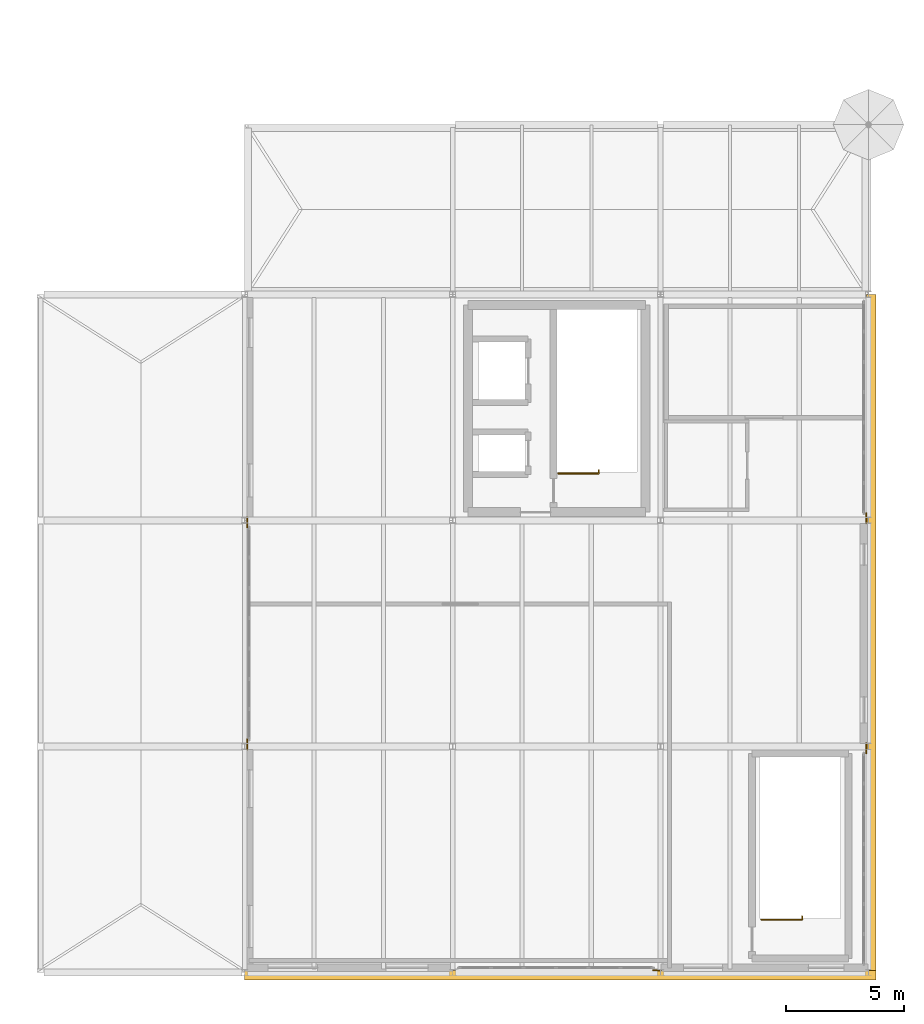
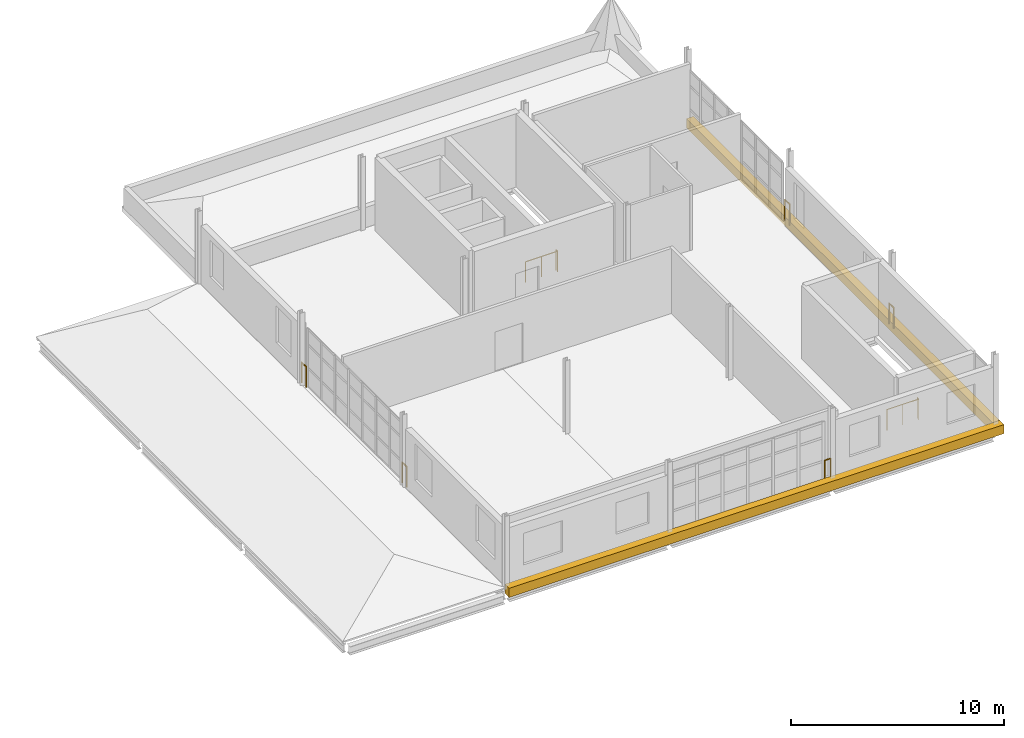
# One storey, part 28 of 28: 7 railings, 2 coverings.
"""IFC4 building model written with IfcOpenShell, lengths in metres."""

import ifcopenshell
import ifcopenshell.guid

model = None  # the IFC model being written
_history = None  # IfcOwnerHistory: only IFC2X3 demands one
_inside = {}  # id of a spatial element -> (the spatial element, [elements in it])
_under = {}  # id of a project, library or spatial element -> (it, [spatial elements below it])
_declared = {}  # id of a project -> (the project, [libraries it declares])
_typed = {}  # id of a type object -> (the type object, [elements of that type])
_made_of = {}  # id of a material, layer set ... -> (it, [elements and type objects made of it])


def new_model(schema):
    """Start an empty IFC model of exactly this schema.

    Asked for "IFC4X3", IfcOpenShell would pick the latest addendum, in which some entities
    have other attributes; the version numbers below select the first issue.
    IFC2X3 requires an IfcOwnerHistory on every rooted entity: one is made here for all.
    """
    global model, _history
    if schema == "IFC4X3":
        model = ifcopenshell.file(schema_version=(4, 3, 0, 0))
    else:
        model = ifcopenshell.file(schema=schema)
    _inside.clear()
    _under.clear()
    _declared.clear()
    _typed.clear()
    _made_of.clear()
    _history = None
    if model.schema == "IFC2X3":
        org = make("IfcOrganization", Name="unknown")
        user = make(
            "IfcPersonAndOrganization",
            ThePerson=make("IfcPerson", FamilyName="unknown"),
            TheOrganization=org,
        )
        app = make(
            "IfcApplication",
            ApplicationDeveloper=org,
            Version="unknown",
            ApplicationFullName="unknown",
            ApplicationIdentifier="unknown",
        )
        _history = make(
            "IfcOwnerHistory",
            OwningUser=user,
            OwningApplication=app,
            ChangeAction="ADDED",
            CreationDate=0,
        )
    return model


def make(cls, **values):
    """One entity of the class cls with the attributes given. An attribute that is None is left unset."""
    return model.create_entity(
        cls, **{name: value for name, value in values.items() if value is not None}
    )


def rooted(cls, **values):
    """An entity with a GlobalId (a new one), such as an element, a storey or a relation."""
    return make(cls, GlobalId=ifcopenshell.guid.new(), OwnerHistory=_history, **values)


def si_unit(unit_type, name, prefix=None):
    """IfcSIUnit, for example si_unit("LENGTHUNIT", "METRE", prefix="MILLI")."""
    return make("IfcSIUnit", UnitType=unit_type, Prefix=prefix, Name=name)


def assignment(units):
    """IfcUnitAssignment: the units of a project."""
    return None if units is None else make("IfcUnitAssignment", Units=units)


def point(xyz):
    """IfcCartesianPoint."""
    return None if xyz is None else make("IfcCartesianPoint", Coordinates=xyz)


def direction(xyz):
    """IfcDirection."""
    return None if xyz is None else make("IfcDirection", DirectionRatios=xyz)


def frame(location, z_axis=None, x_axis=None):
    """IfcAxis2Placement3D, a coordinate frame: its origin and axes. An axis left out is left unset."""
    return make(
        "IfcAxis2Placement3D",
        Location=point(location),
        Axis=direction(z_axis),
        RefDirection=direction(x_axis),
    )


def frame_2d(location, x_axis=None):
    """IfcAxis2Placement2D, a coordinate frame in the plane: its origin and x axis."""
    return make(
        "IfcAxis2Placement2D", Location=point(location), RefDirection=direction(x_axis)
    )


def origin():
    """The frame at (0, 0, 0) with its axes left unset."""
    return frame((0.0, 0.0, 0.0))


def origin_2d():
    """The frame at (0, 0) in the plane with its x axis left unset."""
    return frame_2d((0.0, 0.0))


def place(relative_to, where):
    """IfcLocalPlacement: puts the frame where relative to a parent placement (None: the world)."""
    return make(
        "IfcLocalPlacement", PlacementRelTo=relative_to, RelativePlacement=where
    )


def context(
    kind, dimensions, precision=None, world=None, true_north=None, identifier=None
):
    """IfcGeometricRepresentationContext, for example the 3D "Model" context."""
    return make(
        "IfcGeometricRepresentationContext",
        ContextIdentifier=identifier,
        ContextType=kind,
        CoordinateSpaceDimension=dimensions,
        Precision=precision,
        WorldCoordinateSystem=world,
        TrueNorth=true_north,
    )


def subcontext(parent, identifier, kind, view, scale=None):
    """IfcGeometricRepresentationSubContext, for example "Body" below "Model"."""
    return make(
        "IfcGeometricRepresentationSubContext",
        ContextIdentifier=identifier,
        ContextType=kind,
        ParentContext=parent,
        TargetScale=scale,
        TargetView=view,
    )


def project(units=None, contexts=None):
    """IfcProject with its units and contexts."""
    return rooted(
        "IfcProject",
        Name="project",
        RepresentationContexts=contexts,
        UnitsInContext=assignment(units),
    )


def spatial(cls, under=None, at=None, **own):
    """A site, building, storey or space (cls), placed at a placement, below another one or the project."""
    s = rooted(cls, ObjectPlacement=at, **own)
    if under is not None:
        _under.setdefault(under.id(), (under, []))[1].append(s)
    return s


def polyline(points):
    """IfcPolyline through the points."""
    return make("IfcPolyline", Points=[point(p) for p in points])


def profile(cls, at=None, kind="AREA", **sizes):
    """A parametric profile (cls). Its sizes go by their IFC names, for example OverallWidth=200.0."""
    return make(cls, ProfileType=kind, Position=at, **sizes)


def circle(**sizes):
    """IfcCircleProfileDef."""
    return profile("IfcCircleProfileDef", **sizes)


def outline(outer, holes=None, kind="AREA"):
    """IfcArbitraryClosedProfileDef: a profile drawn as a closed curve; with holes, ...WithVoids."""
    if holes is None:
        return make("IfcArbitraryClosedProfileDef", ProfileType=kind, OuterCurve=outer)
    return make(
        "IfcArbitraryProfileDefWithVoids",
        ProfileType=kind,
        OuterCurve=outer,
        InnerCurves=holes,
    )


def extrude(swept, where, along, depth):
    """IfcExtrudedAreaSolid: the profile swept, set in the frame where, extruded along a direction by depth."""
    return make(
        "IfcExtrudedAreaSolid",
        SweptArea=swept,
        Position=where,
        ExtrudedDirection=direction(along),
        Depth=depth,
    )


def shape(context_of_items, identifier, shape_type, items):
    """IfcShapeRepresentation: the items that make up one representation, for example the "Body"."""
    return make(
        "IfcShapeRepresentation",
        ContextOfItems=context_of_items,
        RepresentationIdentifier=identifier,
        RepresentationType=shape_type,
        Items=items,
    )


def material(Name=None, Category=None):
    """IfcMaterial."""
    return make("IfcMaterial", Name=Name, Category=Category)


def layer(
    of_material, thickness, ventilated=None, Name=None, Category=None, Priority=None
):
    """IfcMaterialLayer: one layer of a wall or slab, of a material (None: an air gap)."""
    return make(
        "IfcMaterialLayer",
        Material=of_material,
        LayerThickness=thickness,
        IsVentilated=ventilated,
        Name=Name,
        Category=Category,
        Priority=Priority,
    )


def layer_set(layers, Name=None):
    """IfcMaterialLayerSet."""
    return make("IfcMaterialLayerSet", MaterialLayers=layers, LayerSetName=Name)


def made_of(thing, what):
    """Note that an element or type object is made of a material, layer set ...; save() writes the relation."""
    if what is not None:
        _made_of.setdefault(what.id(), (what, []))[1].append(thing)
    return thing


def type_object(cls, material=None, **own):
    """A type object (cls), such as IfcWallType, which elements share."""
    return made_of(rooted(cls, **own), material)


def element(
    cls,
    number,
    at=None,
    inside=None,
    cuts=None,
    type_object=None,
    material=None,
    context=None,
    identifier="Body",
    shape_type=None,
    held_by="IfcProductDefinitionShape",
    body=None,
    shapes=None,
    **own,
):
    """One element of the class cls, such as IfcWall. Its Tag is "e" and its number.

    at: its placement. inside: the storey or other place that contains it. cuts: it is an
    opening in that element (IfcRelVoidsElement). A single representation is given by context,
    identifier, shape_type and body (its items); several are given by shapes. held_by: the class
    of the entity that holds the representations. save() writes the other relations.
    """
    e = rooted(cls, Tag="e%d" % number, ObjectPlacement=at, **own)
    if body is not None:
        shapes = [shape(context, identifier, shape_type, body)]
    if shapes is not None:
        e.Representation = make(held_by, Representations=shapes)
    if inside is not None:
        _inside.setdefault(inside.id(), (inside, []))[1].append(e)
    if cuts is not None:
        rooted(
            "IfcRelVoidsElement", RelatingBuildingElement=cuts, RelatedOpeningElement=e
        )
    if type_object is not None:
        _typed.setdefault(type_object.id(), (type_object, []))[1].append(e)
    return made_of(e, material)


def aggregate(whole, parts):
    """IfcRelAggregates: a whole, such as a stair, and the parts it consists of."""
    return rooted("IfcRelAggregates", RelatingObject=whole, RelatedObjects=parts)


def save(model, path):
    """Write the relations noted so far, then the file.

    IfcRelAggregates (storeys below a building ...), IfcRelContainedInSpatialStructure (elements
    in a storey), IfcRelDefinesByType, IfcRelAssociatesMaterial and IfcRelDeclares: one each for
    every whole, place, type object, material and project.
    """
    for whole, parts in _under.values():
        aggregate(whole, parts)
    for where, things in _inside.values():
        rooted(
            "IfcRelContainedInSpatialStructure",
            RelatedElements=things,
            RelatingStructure=where,
        )
    for kind, things in _typed.values():
        rooted("IfcRelDefinesByType", RelatedObjects=things, RelatingType=kind)
    for what, things in _made_of.values():
        rooted("IfcRelAssociatesMaterial", RelatedObjects=things, RelatingMaterial=what)
    for by, libraries in _declared.values():
        rooted("IfcRelDeclares", RelatingContext=by, RelatedDefinitions=libraries)
    model.write(path)


model = new_model("IFC4")

# Units and contexts
model_context = context("Model", 3, precision=1e-05, world=origin(), true_north=direction((0.0, 1.0)))
body_context = subcontext(model_context, "Body", "Model", "MODEL_VIEW")
ifc_project = project(units=[si_unit("LENGTHUNIT", "METRE"), si_unit("AREAUNIT", "SQUARE_METRE"), si_unit("VOLUMEUNIT", "CUBIC_METRE"), si_unit("PLANEANGLEUNIT", "RADIAN"), si_unit("MASSUNIT", "GRAM", prefix="KILO")], contexts=[model_context])

# Site, building, storey
site_placement = place(None, origin())
site = spatial("IfcSite", under=ifc_project, at=site_placement, CompositionType="ELEMENT")
building_placement = place(site_placement, origin())
building = spatial("IfcBuilding", under=site, at=building_placement, Name="Yeouljin Market Hall", CompositionType="ELEMENT")
storey_placement = place(building_placement, frame((0.0, 0.0, 15.0)))
storey = spatial("IfcBuildingStorey", under=building, at=storey_placement, Name="L03", CompositionType="ELEMENT", Elevation=15.0)

# Coverings
ifc_material_1 = material(Name="Clinker Brick Masonry F2-S2", Category="masonry")
ifc_layer = layer(ifc_material_1, 0.360107421875)
ifc_layer_set = layer_set([ifc_layer], Name="Clinker Brick Masonry F2-S2")
covering_type = type_object("IfcCoveringType", Name="Covering_Clinker_SpandrelHood", PredefinedType="CLADDING", material=ifc_layer_set)
covering_1_placement = place(storey_placement, frame((0.0, 0.0, -0.35009765625)))
element("IfcCovering", 1, at=covering_1_placement, inside=storey, type_object=covering_type, Name="Corbelled brick spandrel hood SE-10", PredefinedType="CLADDING", context=body_context, shape_type="SweptSolid", body=[
    extrude(outline(polyline([(149.909912109375, -0.320068359375), (176.719970703125, -0.320068359375), (176.719970703125, 0.080078125), (149.909912109375, 0.080078125), (149.909912109375, -0.320068359375)])), origin(), (0.0, 0.0, 1.0), 0.52001953125),
])
covering_2_placement = place(storey_placement, frame((0.0, 0.0, -0.35009765625)))
element("IfcCovering", 2, at=covering_2_placement, inside=storey, type_object=covering_type, Name="Corbelled brick spandrel hood EE-12", PredefinedType="CLADDING", context=body_context, shape_type="SweptSolid", body=[
    extrude(outline(polyline([(176.320068359375, 0.0), (176.719970703125, 0.0), (176.719970703125, 28.800048828125), (176.320068359375, 28.800048828125), (176.320068359375, 0.0)])), origin(), (0.0, 0.0, 1.0), 0.52001953125),
])

# Railings
ifc_material_2 = material(Name="Wrought Iron and Bronze Gallery Balustrade")
railing_type_1 = type_object("IfcRailingType", Name="Railing_AtriumBalustrade_1200", PredefinedType="BALUSTRADE", material=ifc_material_2)
railing_1_placement = place(storey_placement, frame((150.010009765625, 9.468017578125, 0.0)))
element("IfcRailing", 3, at=railing_1_placement, inside=storey, type_object=railing_type_1, Name="Gallery & deck edge balustrade L03-274", PredefinedType="BALUSTRADE", context=body_context, shape_type="SweptSolid", body=[
    extrude(circle(Radius=0.02392578125, at=origin_2d()), frame((0.0, 0.0, 1.17578125), z_axis=(0.0, 1.0, 0.0), x_axis=(-1.0, 0.0, 0.0)), (0.0, 0.0, 1.0), 0.431884765625),
    extrude(circle(Radius=0.02099609375, at=origin_2d()), origin(), (0.0, 0.0, 1.0), 1.15185546875),
    extrude(circle(Radius=0.02099609375, at=origin_2d()), frame((0.0, 0.431884765625, 0.0)), (0.0, 0.0, 1.0), 1.15185546875),
])
railing_2_placement = place(storey_placement, frame((150.010009765625, 18.89990234375, 0.0)))
element("IfcRailing", 4, at=railing_2_placement, inside=storey, type_object=railing_type_1, Name="Gallery & deck edge balustrade L03-275", PredefinedType="BALUSTRADE", context=body_context, shape_type="SweptSolid", body=[
    extrude(circle(Radius=0.02392578125, at=origin_2d()), frame((0.0, 0.0, 1.17578125), z_axis=(0.0, 1.0, 0.0), x_axis=(-1.0, 0.0, 0.0)), (0.0, 0.0, 1.0), 0.43212890625),
    extrude(circle(Radius=0.02099609375, at=origin_2d()), origin(), (0.0, 0.0, 1.0), 1.15185546875),
    extrude(circle(Radius=0.02099609375, at=origin_2d()), frame((0.0, 0.43212890625, 0.0)), (0.0, 0.0, 1.0), 1.15185546875),
])
for number, where, name in (
    (5, (176.300048828125, 19.5, 0.0), "Gallery & deck edge balustrade L03-276"),
    (6, (176.300048828125, 9.73193359375, 0.0), "Gallery & deck edge balustrade L03-277"),
):
    element("IfcRailing", number, at=place(storey_placement, frame(where)), inside=storey, type_object=railing_type_1, Name=name, PredefinedType="BALUSTRADE", context=body_context, shape_type="SweptSolid", body=[
        extrude(circle(Radius=0.02392578125, at=origin_2d()), frame((0.0, 0.0, 1.17578125), z_axis=(0.0, -1.0, 0.0), x_axis=(1.0, 0.0, 0.0)), (0.0, 0.0, 1.0), 0.431884765625),
        extrude(circle(Radius=0.02099609375, at=origin_2d()), origin(), (0.0, 0.0, 1.0), 1.15185546875),
        extrude(circle(Radius=0.02099609375, at=origin_2d()), frame((0.0, -0.431884765625, 0.0)), (0.0, 0.0, 1.0), 1.15185546875),
    ])
railing_3_placement = place(storey_placement, frame((167.58203125, 0.10009765625, 0.0)))
element("IfcRailing", 7, at=railing_3_placement, inside=storey, type_object=railing_type_1, Name="Gallery & deck edge balustrade L03-278", PredefinedType="BALUSTRADE", context=body_context, shape_type="SweptSolid", body=[
    extrude(circle(Radius=0.02392578125, at=origin_2d()), frame((0.0, 0.0, 1.17578125), z_axis=(-1.0, 0.0, 0.0), x_axis=(0.0, -1.0, 0.0)), (0.0, 0.0, 1.0), 0.33203125),
    extrude(circle(Radius=0.02099609375, at=origin_2d()), origin(), (0.0, 0.0, 1.0), 1.15185546875),
    extrude(circle(Radius=0.02099609375, at=origin_2d()), frame((-0.33203125, 0.0, 0.0)), (0.0, 0.0, 1.0), 1.15185546875),
])
ifc_material_3 = material(Name="Painted Steel Stair Guardrail", Category="steel")
railing_type_2 = type_object("IfcRailingType", Name="Railing_StairGuard_1200", PredefinedType="GUARDRAIL", material=ifc_material_3)
railing_4_placement = place(storey_placement, frame((163.219970703125, 21.18994140625, 0.0)))
element("IfcRailing", 8, at=railing_4_placement, inside=storey, type_object=railing_type_2, Name="Stair ST-C3-L02 top-floor well guardrail", PredefinedType="GUARDRAIL", context=body_context, shape_type="SweptSolid", body=[
    extrude(circle(Radius=0.02392578125, at=origin_2d()), frame((0.0, 0.0, 1.17578125), z_axis=(1.0, 0.0, 0.0), x_axis=(0.0, 1.0, 0.0)), (0.0, 0.0, 1.0), 1.72998046875),
    extrude(circle(Radius=0.02392578125, at=origin_2d()), frame((1.72998046875, 0.0, 1.17578125), z_axis=(0.0, 1.0, 0.0), x_axis=(-1.0, 0.0, 0.0)), (0.0, 0.0, 1.0), 0.14013671875),
    extrude(circle(Radius=0.02099609375, at=origin_2d()), origin(), (0.0, 0.0, 1.0), 1.15185546875),
    extrude(circle(Radius=0.02099609375, at=origin_2d()), frame((0.864990234375, 0.0, 0.0)), (0.0, 0.0, 1.0), 1.15185546875),
    extrude(circle(Radius=0.02099609375, at=origin_2d()), frame((1.72998046875, 0.0, 0.0)), (0.0, 0.0, 1.0), 1.15185546875),
    extrude(circle(Radius=0.02099609375, at=origin_2d()), frame((1.72998046875, 0.14013671875, 0.0)), (0.0, 0.0, 1.0), 1.15185546875),
])
railing_5_placement = place(storey_placement, frame((171.85009765625, 2.239990234375, 0.0)))
element("IfcRailing", 9, at=railing_5_placement, inside=storey, type_object=railing_type_2, Name="Stair ST-S8-L02 top-floor well guardrail", PredefinedType="GUARDRAIL", context=body_context, shape_type="SweptSolid", body=[
    extrude(circle(Radius=0.02392578125, at=origin_2d()), frame((0.0, 0.0, 1.17578125), z_axis=(1.0, 0.0, 0.0), x_axis=(0.0, 1.0, 0.0)), (0.0, 0.0, 1.0), 1.72998046875),
    extrude(circle(Radius=0.02392578125, at=origin_2d()), frame((1.72998046875, 0.0, 1.17578125), z_axis=(0.0, 1.0, 0.0), x_axis=(-1.0, 0.0, 0.0)), (0.0, 0.0, 1.0), 0.139892578125),
    extrude(circle(Radius=0.02099609375, at=origin_2d()), origin(), (0.0, 0.0, 1.0), 1.15185546875),
    extrude(circle(Radius=0.02099609375, at=origin_2d()), frame((0.864990234375, 0.0, 0.0)), (0.0, 0.0, 1.0), 1.15185546875),
    extrude(circle(Radius=0.02099609375, at=origin_2d()), frame((1.72998046875, 0.0, 0.0)), (0.0, 0.0, 1.0), 1.15185546875),
    extrude(circle(Radius=0.02099609375, at=origin_2d()), frame((1.72998046875, 0.139892578125, 0.0)), (0.0, 0.0, 1.0), 1.15185546875),
])

save(model, "model.ifc")
